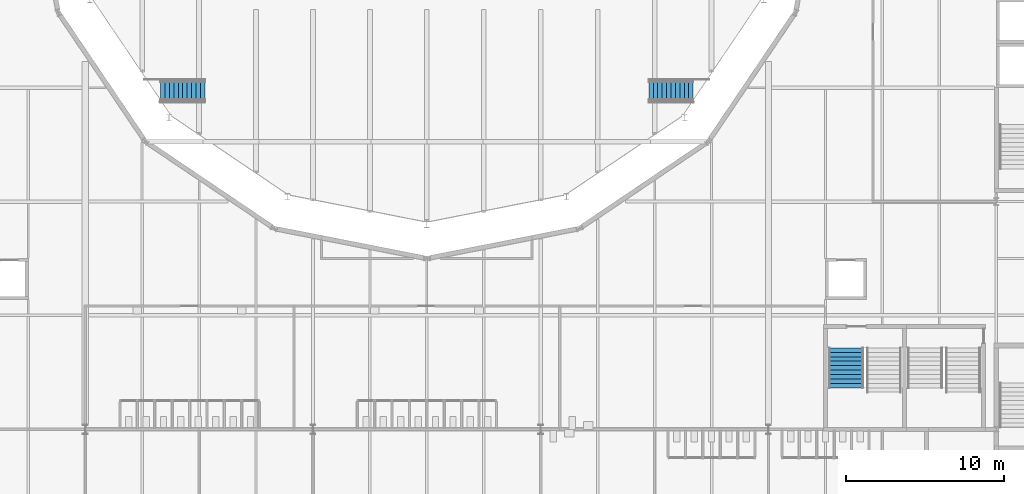
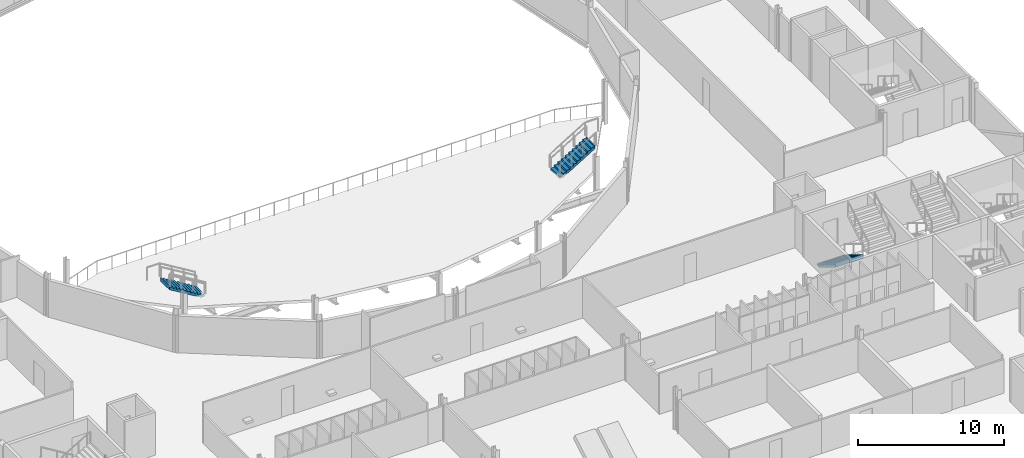
# One storey, part 83 of 124: 3 stair flights, 3 elements without a shape of their own.
"""IFC4 building model written with IfcOpenShell, lengths in metres."""

from ifc_helpers import new_model, si_unit, direction, frame, origin, place, context, subcontext, project, spatial, polyline, outline, extrude, material, type_object, element, aggregate, save


model = new_model("IFC4")

# Units and contexts
model_context = context("Model", 3, precision=1e-05, world=origin(), true_north=direction((0.0, 1.0)))
body_context = subcontext(model_context, "Body", "Model", "MODEL_VIEW")
ifc_project = project(units=[si_unit("LENGTHUNIT", "METRE"), si_unit("AREAUNIT", "SQUARE_METRE"), si_unit("VOLUMEUNIT", "CUBIC_METRE"), si_unit("PLANEANGLEUNIT", "RADIAN"), si_unit("MASSUNIT", "GRAM", prefix="KILO")], contexts=[model_context])

# Site, building, storey
site_placement = place(None, origin())
site = spatial("IfcSite", under=ifc_project, at=site_placement, CompositionType="ELEMENT")
building_placement = place(site_placement, origin())
building = spatial("IfcBuilding", under=site, at=building_placement, Name="Kupolbacken Congress Centre", CompositionType="ELEMENT")
storey_placement = place(building_placement, frame((0.0, 0.0, 10.800048828125)))
storey = spatial("IfcBuildingStorey", under=building, at=storey_placement, Name="L03", CompositionType="ELEMENT", Elevation=10.800048828125)

# Stair, stair flight
ifc_material_1 = material(Name="Concrete C30/37", Category="concrete")
stair_type_1 = type_object("IfcStairType", Name="ST13 stair 2200", PredefinedType="TWO_STRAIGHT_RUN_STAIR", material=ifc_material_1)
stair_1_placement = place(storey_placement, origin())
stair_1 = element("IfcStair", 1, at=stair_1_placement, inside=storey, type_object=stair_type_1, Name="C/stair/PS1SE/L03", PredefinedType="NOTDEFINED")
ifc_material_2 = material(Name="Concrete C30/37", Category="concrete")
stair_flight_type_1 = type_object("IfcStairFlightType", Name="FL13 stair flight 2200 x 10 risers", PredefinedType="STRAIGHT", material=ifc_material_2)
stair_flight_1_placement = place(storey_placement, frame((69.699951171875, 55.544921875, 0.0), z_axis=(0.0, 0.0, 1.0), x_axis=(0.0, -1.0, 0.0)))
stair_flight_1 = element("IfcStairFlight", 2, at=stair_flight_1_placement, type_object=stair_flight_type_1, Name="PS1SE flight 1", NumberOfRisers=10, NumberOfTreads=9, PredefinedType="STRAIGHT", RiserHeight=0.171428571, TreadLength=0.28, context=body_context, shape_type="SweptSolid", body=[
    extrude(outline(polyline([(0.0, 0.0), (0.0, 0.0009765625), (0.0, 0.002197265625), (0.0, 0.003173828125), (0.0, 0.004150390625), (0.0, 0.00537109375), (0.0, 0.00634765625), (0.0, 0.007568359375), (0.0, 0.008544921875), (0.0, 0.009521484375), (0.0, 0.0107421875), (0.0, 0.01171875), (0.0, 0.0126953125), (0.0, 0.013916015625), (0.0, 0.014892578125), (0.0, 0.015869140625), (0.0, 0.01708984375), (0.0, 0.01806640625), (0.0, 0.019287109375), (0.0, 0.020263671875), (0.0, 0.021240234375), (0.0, 0.0224609375), (0.0, 0.0234375), (0.0, 0.0244140625), (0.0, 0.025634765625), (0.0, 0.026611328125), (0.0, 0.027587890625), (0.0, 0.02880859375), (0.0, 0.02978515625), (0.0, 0.03076171875), (0.0, 0.031982421875), (0.0, 0.032958984375), (0.0, 0.0341796875), (0.0, 0.03515625), (0.0, 0.0361328125), (0.0, 0.037353515625), (0.0, 0.038330078125), (0.0, 0.039306640625), (0.0, 0.04052734375), (0.0, 0.04150390625), (0.0, 0.04248046875), (0.0, 0.043701171875), (0.0, 0.044677734375), (0.0, 0.0458984375), (0.0, 0.046875), (0.0, 0.0478515625), (0.0, 0.049072265625), (0.0, 0.050048828125), (0.0, 0.051025390625), (0.0, 0.05224609375), (0.0, 0.05322265625), (0.0, 0.05419921875), (0.0, 0.055419921875), (0.0, 0.056396484375), (0.0, 0.0576171875), (0.0, 0.05859375), (0.0, 0.0595703125), (0.0, 0.060791015625), (0.0, 0.061767578125), (0.0, 0.062744140625), (0.0, 0.06396484375), (0.0, 0.06494140625), (0.0, 0.06591796875), (0.0, 0.067138671875), (0.0, 0.068115234375), (0.0, 0.069091796875), (0.0, 0.0703125), (0.0, 0.0712890625), (0.0, 0.072509765625), (0.0, 0.073486328125), (0.0, 0.074462890625), (0.0, 0.07568359375), (0.0, 0.07666015625), (0.0, 0.07763671875), (0.0, 0.078857421875), (0.0, 0.079833984375), (0.0, 0.080810546875), (0.0, 0.08203125), (0.0, 0.0830078125), (0.0, 0.084228515625), (0.0, 0.085205078125), (0.0, 0.086181640625), (0.0, 0.08740234375), (0.0, 0.08837890625), (0.0, 0.08935546875), (0.0, 0.090576171875), (0.0, 0.091552734375), (0.0, 0.092529296875), (0.0, 0.09375), (0.0, 0.0947265625), (0.0, 0.095947265625), (0.0, 0.096923828125), (0.0, 0.097900390625), (0.0, 0.09912109375), (0.0, 0.10009765625), (0.0, 0.10107421875), (0.0, 0.102294921875), (0.0, 0.103271484375), (0.0, 0.104248046875), (0.0, 0.10546875), (0.0, 0.1064453125), (0.0, 0.107421875), (0.0, 0.108642578125), (0.0, 0.109619140625), (0.0, 0.11083984375), (0.0, 0.11181640625), (0.0, 0.11279296875), (0.0, 0.114013671875), (0.0, 0.114990234375), (0.0, 0.115966796875), (0.0, 0.1171875), (0.0, 0.1181640625), (0.0, 0.119140625), (0.0, 0.120361328125), (0.0, 0.121337890625), (0.0, 0.12255859375), (0.0, 0.12353515625), (0.0, 0.12451171875), (0.0, 0.125732421875), (0.0, 0.126708984375), (0.0, 0.127685546875), (0.0, 0.12890625), (0.0, 0.1298828125), (0.0, 0.130859375), (0.0, 0.132080078125), (0.0, 0.133056640625), (0.0, 0.13427734375), (0.0, 0.13525390625), (0.0, 0.13623046875), (0.0, 0.137451171875), (0.0, 0.138427734375), (0.0, 0.139404296875), (0.0, 0.140625), (0.0, 0.1416015625), (0.0, 0.142578125), (0.0, 0.143798828125), (0.0, 0.144775390625), (0.0, 0.145751953125), (0.0, 0.14697265625), (0.0, 0.14794921875), (0.0, 0.149169921875), (0.0, 0.150146484375), (0.0, 0.151123046875), (0.0, 0.15234375), (0.0, 0.1533203125), (0.0, 0.154296875), (0.0, 0.155517578125), (0.0, 0.156494140625), (0.0, 0.157470703125), (0.0, 0.15869140625), (0.0, 0.15966796875), (0.0, 0.160888671875), (0.0, 0.161865234375), (0.0, 0.162841796875), (0.0, 0.1640625), (0.0, 0.1650390625), (0.0, 0.166015625), (0.0, 0.167236328125), (0.0, 0.168212890625), (0.0, 0.169189453125), (0.0, 0.17041015625), (0.0, 0.17138671875), (0.280029296875, 0.17138671875), (0.280029296875, 0.3427734375), (0.56005859375, 0.3427734375), (0.56005859375, 0.514404296875), (0.840087890625, 0.514404296875), (0.840087890625, 0.685791015625), (1.1201171875, 0.685791015625), (1.1201171875, 0.857177734375), (1.39990234375, 0.857177734375), (1.39990234375, 1.028564453125), (1.679931640625, 1.028564453125), (1.679931640625, 1.199951171875), (1.9599609375, 1.199951171875), (1.9599609375, 1.371337890625), (2.239990234375, 1.371337890625), (2.239990234375, 1.54296875), (2.52001953125, 1.54296875), (2.52001953125, 1.71435546875), (2.52197265625, 1.71435546875), (2.52197265625, 1.712158203125), (2.52197265625, 1.7099609375), (2.52197265625, 1.707763671875), (2.52197265625, 1.70556640625), (2.52197265625, 1.70361328125), (2.52197265625, 1.701416015625), (2.52197265625, 1.69921875), (2.52197265625, 1.697021484375), (2.52197265625, 1.69482421875), (2.52197265625, 1.692626953125), (2.52197265625, 1.690673828125), (2.52197265625, 1.6884765625), (2.52197265625, 1.686279296875), (2.52197265625, 1.68408203125), (2.52197265625, 1.681884765625), (2.52197265625, 1.6796875), (2.52197265625, 1.677734375), (2.52197265625, 1.675537109375), (2.52197265625, 1.67333984375), (2.52197265625, 1.671142578125), (2.52197265625, 1.6689453125), (2.52197265625, 1.666748046875), (2.52197265625, 1.664794921875), (2.52197265625, 1.66259765625), (2.52197265625, 1.660400390625), (2.52197265625, 1.658203125), (2.52197265625, 1.656005859375), (2.52197265625, 1.65380859375), (2.52197265625, 1.65185546875), (2.52197265625, 1.649658203125), (2.52197265625, 1.6474609375), (2.52197265625, 1.645263671875), (2.52197265625, 1.64306640625), (2.52197265625, 1.640869140625), (2.52197265625, 1.638916015625), (2.52197265625, 1.63671875), (2.52197265625, 1.634521484375), (2.52197265625, 1.63232421875), (2.52197265625, 1.630126953125), (2.52197265625, 1.6279296875), (2.52197265625, 1.6259765625), (2.52197265625, 1.623779296875), (2.52197265625, 1.62158203125), (2.52197265625, 1.619384765625), (2.52197265625, 1.6171875), (2.52197265625, 1.614990234375), (2.52197265625, 1.613037109375), (2.52197265625, 1.61083984375), (2.52197265625, 1.608642578125), (2.52197265625, 1.6064453125), (2.52197265625, 1.604248046875), (2.52197265625, 1.60205078125), (2.52197265625, 1.60009765625), (2.52197265625, 1.597900390625), (2.52197265625, 1.595703125), (2.52197265625, 1.593505859375), (2.52197265625, 1.59130859375), (2.52197265625, 1.589111328125), (2.52197265625, 1.587158203125), (2.52197265625, 1.5849609375), (2.52197265625, 1.582763671875), (2.52197265625, 1.58056640625), (2.52197265625, 1.578369140625), (2.52197265625, 1.576171875), (2.52197265625, 1.57421875), (2.52197265625, 1.572021484375), (2.52197265625, 1.56982421875), (2.52197265625, 1.567626953125), (2.52197265625, 1.5654296875), (2.52197265625, 1.563232421875), (2.52197265625, 1.561279296875), (2.52197265625, 1.55908203125), (2.52197265625, 1.556884765625), (2.52197265625, 1.5546875), (2.52197265625, 1.552490234375), (2.52197265625, 1.55029296875), (2.52197265625, 1.54833984375), (2.52197265625, 1.546142578125), (2.52197265625, 1.5439453125), (2.52197265625, 1.541748046875), (2.52197265625, 1.53955078125), (2.52197265625, 1.537353515625), (2.52197265625, 1.535400390625), (2.52197265625, 1.533203125), (2.52197265625, 1.531005859375), (2.52197265625, 1.52880859375), (2.52197265625, 1.526611328125), (2.52197265625, 1.5244140625), (2.52197265625, 1.5224609375), (2.52197265625, 1.520263671875), (2.52197265625, 1.51806640625), (2.52197265625, 1.515869140625), (2.52197265625, 1.513671875), (2.52197265625, 1.511474609375), (2.52197265625, 1.509521484375), (2.52197265625, 1.50732421875), (2.52197265625, 1.505126953125), (2.52197265625, 1.5029296875), (2.52197265625, 1.500732421875), (2.52197265625, 1.49853515625), (2.52197265625, 1.49658203125), (2.52197265625, 1.494384765625), (2.52197265625, 1.4921875), (2.52197265625, 1.489990234375), (2.52197265625, 1.48779296875), (2.52197265625, 1.485595703125), (2.52197265625, 1.483642578125), (2.52197265625, 1.4814453125), (2.52197265625, 1.479248046875), (2.52197265625, 1.47705078125), (2.52197265625, 1.474853515625), (2.52197265625, 1.47265625), (2.52197265625, 1.470703125), (2.52197265625, 1.468505859375), (2.52197265625, 1.46630859375), (2.52197265625, 1.464111328125), (2.52197265625, 1.4619140625), (2.52197265625, 1.459716796875), (2.52197265625, 1.457763671875), (2.52197265625, 1.45556640625), (2.52197265625, 1.453369140625), (2.52197265625, 1.451171875), (2.52197265625, 1.448974609375), (2.52197265625, 1.44677734375), (2.52197265625, 1.44482421875), (2.52197265625, 1.442626953125), (2.52197265625, 1.4404296875), (2.52197265625, 1.438232421875), (2.52197265625, 1.43603515625), (2.52197265625, 1.433837890625), (2.52197265625, 1.431884765625), (2.52197265625, 1.4296875), (2.52197265625, 1.427490234375), (2.52197265625, 1.42529296875), (2.52197265625, 1.423095703125), (2.52197265625, 1.4208984375), (2.52197265625, 1.4189453125), (2.52197265625, 1.416748046875), (2.52197265625, 1.41455078125), (2.52197265625, 1.412353515625), (2.52197265625, 1.41015625), (2.52197265625, 1.407958984375), (2.52197265625, 1.406005859375), (2.52197265625, 1.40380859375), (2.52197265625, 1.401611328125), (2.52197265625, 1.3994140625), (2.52197265625, 1.397216796875), (2.52197265625, 1.39501953125), (2.52197265625, 1.39306640625), (2.52197265625, 1.390869140625), (2.52197265625, 1.388671875), (2.52197265625, 1.386474609375), (2.52197265625, 1.38427734375), (2.52197265625, 1.382080078125), (2.52197265625, 1.380126953125), (2.52197265625, 1.3779296875), (2.52197265625, 1.375732421875), (2.52197265625, 1.37353515625), (2.52197265625, 1.371337890625), (2.52197265625, 1.369140625), (2.52197265625, 1.3671875), (0.2890625, 0.0), (0.0, 0.0)])), frame((0.0, 1.10009765625, 0.0), z_axis=(0.0, -1.0, 0.0), x_axis=(1.0, 0.0, 0.0)), (0.0, 0.0, 1.0), 2.199951171875),
])
aggregate(stair_1, [stair_flight_1])

ifc_material_3 = material(Name="Steel S355", Category="steel")
stair_type_2 = type_object("IfcStairType", Name="ST14 aisle stair 1200", PredefinedType="STRAIGHT_RUN_STAIR", material=ifc_material_3)
stair_2_placement = place(storey_placement, origin())
stair_2 = element("IfcStair", 3, at=stair_2_placement, inside=storey, type_object=stair_type_2, Name="PD/aisle/PA-B-1", PredefinedType="NOTDEFINED")
ifc_material_4 = material(Name="Steel S355", Category="steel")
stair_flight_type_2 = type_object("IfcStairFlightType", Name="FL17 stair flight 1200 x 11 risers of 169.8", PredefinedType="STRAIGHT", material=ifc_material_4)
stair_flight_2_placement = place(storey_placement, frame((29.1669921875, 71.800048828125, 1.73193359375), z_axis=(0.0, 0.0, 1.0), x_axis=(-1.0, 0.0, 0.0)))
stair_flight_2 = element("IfcStairFlight", 4, at=stair_flight_2_placement, type_object=stair_flight_type_2, Name="ST14 flight 1", NumberOfRisers=11, NumberOfTreads=10, PredefinedType="STRAIGHT", RiserHeight=0.169827273, TreadLength=0.28, context=body_context, shape_type="SweptSolid", body=[
    extrude(outline(polyline([(0.0, 0.0), (0.0, 0.0009765625), (0.0, 0.002197265625), (0.0, 0.003173828125), (0.0, 0.004150390625), (0.0, 0.00537109375), (0.0, 0.00634765625), (0.0, 0.00732421875), (0.0, 0.008544921875), (0.0, 0.009521484375), (0.0, 0.010498046875), (0.0, 0.01171875), (0.0, 0.0126953125), (0.0, 0.013671875), (0.0, 0.0146484375), (0.0, 0.015869140625), (0.0, 0.016845703125), (0.0, 0.017822265625), (0.0, 0.01904296875), (0.0, 0.02001953125), (0.0, 0.02099609375), (0.0, 0.022216796875), (0.0, 0.023193359375), (0.0, 0.024169921875), (0.0, 0.025390625), (0.0, 0.0263671875), (0.0, 0.02734375), (0.0, 0.028564453125), (0.0, 0.029541015625), (0.0, 0.030517578125), (0.0, 0.03173828125), (0.0, 0.03271484375), (0.0, 0.03369140625), (0.0, 0.034912109375), (0.0, 0.035888671875), (0.0, 0.036865234375), (0.0, 0.0380859375), (0.0, 0.0390625), (0.0, 0.0400390625), (0.0, 0.041259765625), (0.0, 0.042236328125), (0.0, 0.043212890625), (0.0, 0.044189453125), (0.0, 0.04541015625), (0.0, 0.04638671875), (0.0, 0.04736328125), (0.0, 0.048583984375), (0.0, 0.049560546875), (0.0, 0.050537109375), (0.0, 0.0517578125), (0.0, 0.052734375), (0.0, 0.0537109375), (0.0, 0.054931640625), (0.0, 0.055908203125), (0.0, 0.056884765625), (0.0, 0.05810546875), (0.0, 0.05908203125), (0.0, 0.06005859375), (0.0, 0.061279296875), (0.0, 0.062255859375), (0.0, 0.063232421875), (0.0, 0.064453125), (0.0, 0.0654296875), (0.0, 0.06640625), (0.0, 0.067626953125), (0.0, 0.068603515625), (0.0, 0.069580078125), (0.0, 0.070556640625), (0.0, 0.07177734375), (0.0, 0.07275390625), (0.0, 0.07373046875), (0.0, 0.074951171875), (0.0, 0.075927734375), (0.0, 0.076904296875), (0.0, 0.078125), (0.0, 0.0791015625), (0.0, 0.080078125), (0.0, 0.081298828125), (0.0, 0.082275390625), (0.0, 0.083251953125), (0.0, 0.08447265625), (0.0, 0.08544921875), (0.0, 0.08642578125), (0.0, 0.087646484375), (0.0, 0.088623046875), (0.0, 0.089599609375), (0.0, 0.0908203125), (0.0, 0.091796875), (0.0, 0.0927734375), (0.0, 0.093994140625), (0.0, 0.094970703125), (0.0, 0.095947265625), (0.0, 0.096923828125), (0.0, 0.09814453125), (0.0, 0.09912109375), (0.0, 0.10009765625), (0.0, 0.101318359375), (0.0, 0.102294921875), (0.0, 0.103271484375), (0.0, 0.1044921875), (0.0, 0.10546875), (0.0, 0.1064453125), (0.0, 0.107666015625), (0.0, 0.108642578125), (0.0, 0.109619140625), (0.0, 0.11083984375), (0.0, 0.11181640625), (0.0, 0.11279296875), (0.0, 0.114013671875), (0.0, 0.114990234375), (0.0, 0.115966796875), (0.0, 0.1171875), (0.0, 0.1181640625), (0.0, 0.119140625), (0.0, 0.120361328125), (0.0, 0.121337890625), (0.0, 0.122314453125), (0.0, 0.12353515625), (0.0, 0.12451171875), (0.0, 0.12548828125), (0.0, 0.12646484375), (0.0, 0.127685546875), (0.0, 0.128662109375), (0.0, 0.129638671875), (0.0, 0.130859375), (0.0, 0.1318359375), (0.0, 0.1328125), (0.0, 0.134033203125), (0.0, 0.135009765625), (0.0, 0.135986328125), (0.0, 0.13720703125), (0.0, 0.13818359375), (0.0, 0.13916015625), (0.0, 0.140380859375), (0.0, 0.141357421875), (0.0, 0.142333984375), (0.0, 0.1435546875), (0.0, 0.14453125), (0.0, 0.1455078125), (0.0, 0.146728515625), (0.0, 0.147705078125), (0.0, 0.148681640625), (0.0, 0.14990234375), (0.0, 0.15087890625), (0.0, 0.15185546875), (0.0, 0.15283203125), (0.0, 0.154052734375), (0.0, 0.155029296875), (0.0, 0.156005859375), (0.0, 0.1572265625), (0.0, 0.158203125), (0.0, 0.1591796875), (0.0, 0.160400390625), (0.0, 0.161376953125), (0.0, 0.162353515625), (0.0, 0.16357421875), (0.0, 0.16455078125), (0.0, 0.16552734375), (0.0, 0.166748046875), (0.0, 0.167724609375), (0.0, 0.168701171875), (0.0, 0.169921875), (0.280029296875, 0.169921875), (0.280029296875, 0.339599609375), (0.56005859375, 0.339599609375), (0.56005859375, 0.509521484375), (0.840087890625, 0.509521484375), (0.840087890625, 0.67919921875), (1.1201171875, 0.67919921875), (1.1201171875, 0.84912109375), (1.39990234375, 0.84912109375), (1.39990234375, 1.01904296875), (1.679931640625, 1.01904296875), (1.679931640625, 1.188720703125), (1.9599609375, 1.188720703125), (1.9599609375, 1.358642578125), (2.239990234375, 1.358642578125), (2.239990234375, 1.528564453125), (2.52001953125, 1.528564453125), (2.52001953125, 1.6982421875), (2.800048828125, 1.6982421875), (2.800048828125, 1.8681640625), (2.802001953125, 1.8681640625), (2.802001953125, 1.865966796875), (2.802001953125, 1.86376953125), (2.802001953125, 1.861572265625), (2.802001953125, 1.859619140625), (2.802001953125, 1.857421875), (2.802001953125, 1.855224609375), (2.802001953125, 1.85302734375), (2.802001953125, 1.850830078125), (2.802001953125, 1.848876953125), (2.802001953125, 1.8466796875), (2.802001953125, 1.844482421875), (2.802001953125, 1.84228515625), (2.802001953125, 1.84033203125), (2.802001953125, 1.838134765625), (2.802001953125, 1.8359375), (2.802001953125, 1.833740234375), (2.802001953125, 1.83154296875), (2.802001953125, 1.82958984375), (2.802001953125, 1.827392578125), (2.802001953125, 1.8251953125), (2.802001953125, 1.822998046875), (2.802001953125, 1.821044921875), (2.802001953125, 1.81884765625), (2.802001953125, 1.816650390625), (2.802001953125, 1.814453125), (2.802001953125, 1.812255859375), (2.802001953125, 1.810302734375), (2.802001953125, 1.80810546875), (2.802001953125, 1.805908203125), (2.802001953125, 1.8037109375), (2.802001953125, 1.8017578125), (2.802001953125, 1.799560546875), (2.802001953125, 1.79736328125), (2.802001953125, 1.795166015625), (2.802001953125, 1.79296875), (2.802001953125, 1.791015625), (2.802001953125, 1.788818359375), (2.802001953125, 1.78662109375), (2.802001953125, 1.784423828125), (2.802001953125, 1.782470703125), (2.802001953125, 1.7802734375), (2.802001953125, 1.778076171875), (2.802001953125, 1.77587890625), (2.802001953125, 1.773681640625), (2.802001953125, 1.771728515625), (2.802001953125, 1.76953125), (2.802001953125, 1.767333984375), (2.802001953125, 1.76513671875), (2.802001953125, 1.762939453125), (2.802001953125, 1.760986328125), (2.802001953125, 1.7587890625), (2.802001953125, 1.756591796875), (2.802001953125, 1.75439453125), (2.802001953125, 1.75244140625), (2.802001953125, 1.750244140625), (2.802001953125, 1.748046875), (2.802001953125, 1.745849609375), (2.802001953125, 1.74365234375), (2.802001953125, 1.74169921875), (2.802001953125, 1.739501953125), (2.802001953125, 1.7373046875), (2.802001953125, 1.735107421875), (2.802001953125, 1.733154296875), (2.802001953125, 1.73095703125), (2.802001953125, 1.728759765625), (2.802001953125, 1.7265625), (2.802001953125, 1.724365234375), (2.802001953125, 1.722412109375), (2.802001953125, 1.72021484375), (2.802001953125, 1.718017578125), (2.802001953125, 1.7158203125), (2.802001953125, 1.7138671875), (2.802001953125, 1.711669921875), (2.802001953125, 1.70947265625), (2.802001953125, 1.707275390625), (2.802001953125, 1.705078125), (2.802001953125, 1.703125), (2.802001953125, 1.700927734375), (2.802001953125, 1.69873046875), (2.802001953125, 1.696533203125), (2.802001953125, 1.6943359375), (2.802001953125, 1.6923828125), (2.802001953125, 1.690185546875), (2.802001953125, 1.68798828125), (2.802001953125, 1.685791015625), (2.802001953125, 1.683837890625), (2.802001953125, 1.681640625), (2.802001953125, 1.679443359375), (2.802001953125, 1.67724609375), (2.802001953125, 1.675048828125), (2.802001953125, 1.673095703125), (2.802001953125, 1.6708984375), (2.802001953125, 1.668701171875), (2.802001953125, 1.66650390625), (2.802001953125, 1.66455078125), (2.802001953125, 1.662353515625), (2.802001953125, 1.66015625), (2.802001953125, 1.657958984375), (2.802001953125, 1.65576171875), (2.802001953125, 1.65380859375), (2.802001953125, 1.651611328125), (2.802001953125, 1.6494140625), (2.802001953125, 1.647216796875), (2.802001953125, 1.645263671875), (2.802001953125, 1.64306640625), (2.802001953125, 1.640869140625), (2.802001953125, 1.638671875), (2.802001953125, 1.636474609375), (2.802001953125, 1.634521484375), (2.802001953125, 1.63232421875), (2.802001953125, 1.630126953125), (2.802001953125, 1.6279296875), (2.802001953125, 1.625732421875), (2.802001953125, 1.623779296875), (2.802001953125, 1.62158203125), (2.802001953125, 1.619384765625), (2.802001953125, 1.6171875), (2.802001953125, 1.615234375), (2.802001953125, 1.613037109375), (2.802001953125, 1.61083984375), (2.802001953125, 1.608642578125), (2.802001953125, 1.6064453125), (2.802001953125, 1.6044921875), (2.802001953125, 1.602294921875), (2.802001953125, 1.60009765625), (2.802001953125, 1.597900390625), (2.802001953125, 1.595947265625), (2.802001953125, 1.59375), (2.802001953125, 1.591552734375), (2.802001953125, 1.58935546875), (2.802001953125, 1.587158203125), (2.802001953125, 1.585205078125), (2.802001953125, 1.5830078125), (2.802001953125, 1.580810546875), (2.802001953125, 1.57861328125), (2.802001953125, 1.57666015625), (2.802001953125, 1.574462890625), (2.802001953125, 1.572265625), (2.802001953125, 1.570068359375), (2.802001953125, 1.56787109375), (2.802001953125, 1.56591796875), (2.802001953125, 1.563720703125), (2.802001953125, 1.5615234375), (2.802001953125, 1.559326171875), (2.802001953125, 1.557373046875), (2.802001953125, 1.55517578125), (2.802001953125, 1.552978515625), (2.802001953125, 1.55078125), (2.802001953125, 1.548583984375), (2.802001953125, 1.546630859375), (2.802001953125, 1.54443359375), (2.802001953125, 1.542236328125), (2.802001953125, 1.5400390625), (2.802001953125, 1.537841796875), (2.802001953125, 1.535888671875), (2.802001953125, 1.53369140625), (2.802001953125, 1.531494140625), (2.802001953125, 1.529296875), (2.802001953125, 1.52734375), (2.802001953125, 1.525146484375), (2.802001953125, 1.52294921875), (0.291015625, 0.0), (0.0, 0.0)])), frame((0.0, 0.60009765625, 0.0), z_axis=(0.0, -1.0, 0.0), x_axis=(1.0, 0.0, 0.0)), (0.0, 0.0, 1.0), 1.199951171875),
])
aggregate(stair_2, [stair_flight_2])

stair_3_placement = place(storey_placement, origin())
stair_3 = element("IfcStair", 5, at=stair_3_placement, inside=storey, type_object=stair_type_2, Name="PD/aisle/PA-B-2", PredefinedType="NOTDEFINED")
stair_flight_3_placement = place(storey_placement, frame((57.233154296875, 71.800048828125, 1.73193359375), z_axis=(0.0, 0.0, 1.0), x_axis=(1.0, 0.0, 0.0)))
stair_flight_3 = element("IfcStairFlight", 6, at=stair_flight_3_placement, type_object=stair_flight_type_2, Name="ST14 flight 1", NumberOfRisers=11, NumberOfTreads=10, PredefinedType="STRAIGHT", RiserHeight=0.169827273, TreadLength=0.28, context=body_context, shape_type="SweptSolid", body=[
    extrude(outline(polyline([(0.0, 0.0), (0.0, 0.0009765625), (0.0, 0.002197265625), (0.0, 0.003173828125), (0.0, 0.004150390625), (0.0, 0.00537109375), (0.0, 0.00634765625), (0.0, 0.00732421875), (0.0, 0.008544921875), (0.0, 0.009521484375), (0.0, 0.010498046875), (0.0, 0.01171875), (0.0, 0.0126953125), (0.0, 0.013671875), (0.0, 0.0146484375), (0.0, 0.015869140625), (0.0, 0.016845703125), (0.0, 0.017822265625), (0.0, 0.01904296875), (0.0, 0.02001953125), (0.0, 0.02099609375), (0.0, 0.022216796875), (0.0, 0.023193359375), (0.0, 0.024169921875), (0.0, 0.025390625), (0.0, 0.0263671875), (0.0, 0.02734375), (0.0, 0.028564453125), (0.0, 0.029541015625), (0.0, 0.030517578125), (0.0, 0.03173828125), (0.0, 0.03271484375), (0.0, 0.03369140625), (0.0, 0.034912109375), (0.0, 0.035888671875), (0.0, 0.036865234375), (0.0, 0.0380859375), (0.0, 0.0390625), (0.0, 0.0400390625), (0.0, 0.041259765625), (0.0, 0.042236328125), (0.0, 0.043212890625), (0.0, 0.044189453125), (0.0, 0.04541015625), (0.0, 0.04638671875), (0.0, 0.04736328125), (0.0, 0.048583984375), (0.0, 0.049560546875), (0.0, 0.050537109375), (0.0, 0.0517578125), (0.0, 0.052734375), (0.0, 0.0537109375), (0.0, 0.054931640625), (0.0, 0.055908203125), (0.0, 0.056884765625), (0.0, 0.05810546875), (0.0, 0.05908203125), (0.0, 0.06005859375), (0.0, 0.061279296875), (0.0, 0.062255859375), (0.0, 0.063232421875), (0.0, 0.064453125), (0.0, 0.0654296875), (0.0, 0.06640625), (0.0, 0.067626953125), (0.0, 0.068603515625), (0.0, 0.069580078125), (0.0, 0.070556640625), (0.0, 0.07177734375), (0.0, 0.07275390625), (0.0, 0.07373046875), (0.0, 0.074951171875), (0.0, 0.075927734375), (0.0, 0.076904296875), (0.0, 0.078125), (0.0, 0.0791015625), (0.0, 0.080078125), (0.0, 0.081298828125), (0.0, 0.082275390625), (0.0, 0.083251953125), (0.0, 0.08447265625), (0.0, 0.08544921875), (0.0, 0.08642578125), (0.0, 0.087646484375), (0.0, 0.088623046875), (0.0, 0.089599609375), (0.0, 0.0908203125), (0.0, 0.091796875), (0.0, 0.0927734375), (0.0, 0.093994140625), (0.0, 0.094970703125), (0.0, 0.095947265625), (0.0, 0.096923828125), (0.0, 0.09814453125), (0.0, 0.09912109375), (0.0, 0.10009765625), (0.0, 0.101318359375), (0.0, 0.102294921875), (0.0, 0.103271484375), (0.0, 0.1044921875), (0.0, 0.10546875), (0.0, 0.1064453125), (0.0, 0.107666015625), (0.0, 0.108642578125), (0.0, 0.109619140625), (0.0, 0.11083984375), (0.0, 0.11181640625), (0.0, 0.11279296875), (0.0, 0.114013671875), (0.0, 0.114990234375), (0.0, 0.115966796875), (0.0, 0.1171875), (0.0, 0.1181640625), (0.0, 0.119140625), (0.0, 0.120361328125), (0.0, 0.121337890625), (0.0, 0.122314453125), (0.0, 0.12353515625), (0.0, 0.12451171875), (0.0, 0.12548828125), (0.0, 0.12646484375), (0.0, 0.127685546875), (0.0, 0.128662109375), (0.0, 0.129638671875), (0.0, 0.130859375), (0.0, 0.1318359375), (0.0, 0.1328125), (0.0, 0.134033203125), (0.0, 0.135009765625), (0.0, 0.135986328125), (0.0, 0.13720703125), (0.0, 0.13818359375), (0.0, 0.13916015625), (0.0, 0.140380859375), (0.0, 0.141357421875), (0.0, 0.142333984375), (0.0, 0.1435546875), (0.0, 0.14453125), (0.0, 0.1455078125), (0.0, 0.146728515625), (0.0, 0.147705078125), (0.0, 0.148681640625), (0.0, 0.14990234375), (0.0, 0.15087890625), (0.0, 0.15185546875), (0.0, 0.15283203125), (0.0, 0.154052734375), (0.0, 0.155029296875), (0.0, 0.156005859375), (0.0, 0.1572265625), (0.0, 0.158203125), (0.0, 0.1591796875), (0.0, 0.160400390625), (0.0, 0.161376953125), (0.0, 0.162353515625), (0.0, 0.16357421875), (0.0, 0.16455078125), (0.0, 0.16552734375), (0.0, 0.166748046875), (0.0, 0.167724609375), (0.0, 0.168701171875), (0.0, 0.169921875), (0.280029296875, 0.169921875), (0.280029296875, 0.339599609375), (0.56005859375, 0.339599609375), (0.56005859375, 0.509521484375), (0.840087890625, 0.509521484375), (0.840087890625, 0.67919921875), (1.1201171875, 0.67919921875), (1.1201171875, 0.84912109375), (1.39990234375, 0.84912109375), (1.39990234375, 1.01904296875), (1.679931640625, 1.01904296875), (1.679931640625, 1.188720703125), (1.9599609375, 1.188720703125), (1.9599609375, 1.358642578125), (2.239990234375, 1.358642578125), (2.239990234375, 1.528564453125), (2.52001953125, 1.528564453125), (2.52001953125, 1.6982421875), (2.800048828125, 1.6982421875), (2.800048828125, 1.8681640625), (2.802001953125, 1.8681640625), (2.802001953125, 1.865966796875), (2.802001953125, 1.86376953125), (2.802001953125, 1.861572265625), (2.802001953125, 1.859619140625), (2.802001953125, 1.857421875), (2.802001953125, 1.855224609375), (2.802001953125, 1.85302734375), (2.802001953125, 1.850830078125), (2.802001953125, 1.848876953125), (2.802001953125, 1.8466796875), (2.802001953125, 1.844482421875), (2.802001953125, 1.84228515625), (2.802001953125, 1.84033203125), (2.802001953125, 1.838134765625), (2.802001953125, 1.8359375), (2.802001953125, 1.833740234375), (2.802001953125, 1.83154296875), (2.802001953125, 1.82958984375), (2.802001953125, 1.827392578125), (2.802001953125, 1.8251953125), (2.802001953125, 1.822998046875), (2.802001953125, 1.821044921875), (2.802001953125, 1.81884765625), (2.802001953125, 1.816650390625), (2.802001953125, 1.814453125), (2.802001953125, 1.812255859375), (2.802001953125, 1.810302734375), (2.802001953125, 1.80810546875), (2.802001953125, 1.805908203125), (2.802001953125, 1.8037109375), (2.802001953125, 1.8017578125), (2.802001953125, 1.799560546875), (2.802001953125, 1.79736328125), (2.802001953125, 1.795166015625), (2.802001953125, 1.79296875), (2.802001953125, 1.791015625), (2.802001953125, 1.788818359375), (2.802001953125, 1.78662109375), (2.802001953125, 1.784423828125), (2.802001953125, 1.782470703125), (2.802001953125, 1.7802734375), (2.802001953125, 1.778076171875), (2.802001953125, 1.77587890625), (2.802001953125, 1.773681640625), (2.802001953125, 1.771728515625), (2.802001953125, 1.76953125), (2.802001953125, 1.767333984375), (2.802001953125, 1.76513671875), (2.802001953125, 1.762939453125), (2.802001953125, 1.760986328125), (2.802001953125, 1.7587890625), (2.802001953125, 1.756591796875), (2.802001953125, 1.75439453125), (2.802001953125, 1.75244140625), (2.802001953125, 1.750244140625), (2.802001953125, 1.748046875), (2.802001953125, 1.745849609375), (2.802001953125, 1.74365234375), (2.802001953125, 1.74169921875), (2.802001953125, 1.739501953125), (2.802001953125, 1.7373046875), (2.802001953125, 1.735107421875), (2.802001953125, 1.733154296875), (2.802001953125, 1.73095703125), (2.802001953125, 1.728759765625), (2.802001953125, 1.7265625), (2.802001953125, 1.724365234375), (2.802001953125, 1.722412109375), (2.802001953125, 1.72021484375), (2.802001953125, 1.718017578125), (2.802001953125, 1.7158203125), (2.802001953125, 1.7138671875), (2.802001953125, 1.711669921875), (2.802001953125, 1.70947265625), (2.802001953125, 1.707275390625), (2.802001953125, 1.705078125), (2.802001953125, 1.703125), (2.802001953125, 1.700927734375), (2.802001953125, 1.69873046875), (2.802001953125, 1.696533203125), (2.802001953125, 1.6943359375), (2.802001953125, 1.6923828125), (2.802001953125, 1.690185546875), (2.802001953125, 1.68798828125), (2.802001953125, 1.685791015625), (2.802001953125, 1.683837890625), (2.802001953125, 1.681640625), (2.802001953125, 1.679443359375), (2.802001953125, 1.67724609375), (2.802001953125, 1.675048828125), (2.802001953125, 1.673095703125), (2.802001953125, 1.6708984375), (2.802001953125, 1.668701171875), (2.802001953125, 1.66650390625), (2.802001953125, 1.66455078125), (2.802001953125, 1.662353515625), (2.802001953125, 1.66015625), (2.802001953125, 1.657958984375), (2.802001953125, 1.65576171875), (2.802001953125, 1.65380859375), (2.802001953125, 1.651611328125), (2.802001953125, 1.6494140625), (2.802001953125, 1.647216796875), (2.802001953125, 1.645263671875), (2.802001953125, 1.64306640625), (2.802001953125, 1.640869140625), (2.802001953125, 1.638671875), (2.802001953125, 1.636474609375), (2.802001953125, 1.634521484375), (2.802001953125, 1.63232421875), (2.802001953125, 1.630126953125), (2.802001953125, 1.6279296875), (2.802001953125, 1.625732421875), (2.802001953125, 1.623779296875), (2.802001953125, 1.62158203125), (2.802001953125, 1.619384765625), (2.802001953125, 1.6171875), (2.802001953125, 1.615234375), (2.802001953125, 1.613037109375), (2.802001953125, 1.61083984375), (2.802001953125, 1.608642578125), (2.802001953125, 1.6064453125), (2.802001953125, 1.6044921875), (2.802001953125, 1.602294921875), (2.802001953125, 1.60009765625), (2.802001953125, 1.597900390625), (2.802001953125, 1.595947265625), (2.802001953125, 1.59375), (2.802001953125, 1.591552734375), (2.802001953125, 1.58935546875), (2.802001953125, 1.587158203125), (2.802001953125, 1.585205078125), (2.802001953125, 1.5830078125), (2.802001953125, 1.580810546875), (2.802001953125, 1.57861328125), (2.802001953125, 1.57666015625), (2.802001953125, 1.574462890625), (2.802001953125, 1.572265625), (2.802001953125, 1.570068359375), (2.802001953125, 1.56787109375), (2.802001953125, 1.56591796875), (2.802001953125, 1.563720703125), (2.802001953125, 1.5615234375), (2.802001953125, 1.559326171875), (2.802001953125, 1.557373046875), (2.802001953125, 1.55517578125), (2.802001953125, 1.552978515625), (2.802001953125, 1.55078125), (2.802001953125, 1.548583984375), (2.802001953125, 1.546630859375), (2.802001953125, 1.54443359375), (2.802001953125, 1.542236328125), (2.802001953125, 1.5400390625), (2.802001953125, 1.537841796875), (2.802001953125, 1.535888671875), (2.802001953125, 1.53369140625), (2.802001953125, 1.531494140625), (2.802001953125, 1.529296875), (2.802001953125, 1.52734375), (2.802001953125, 1.525146484375), (2.802001953125, 1.52294921875), (0.291015625, 0.0), (0.0, 0.0)])), frame((0.0, 0.60009765625, 0.0), z_axis=(0.0, -1.0, 0.0), x_axis=(1.0, 0.0, 0.0)), (0.0, 0.0, 1.0), 1.199951171875),
])
aggregate(stair_3, [stair_flight_3])

save(model, "model.ifc")
